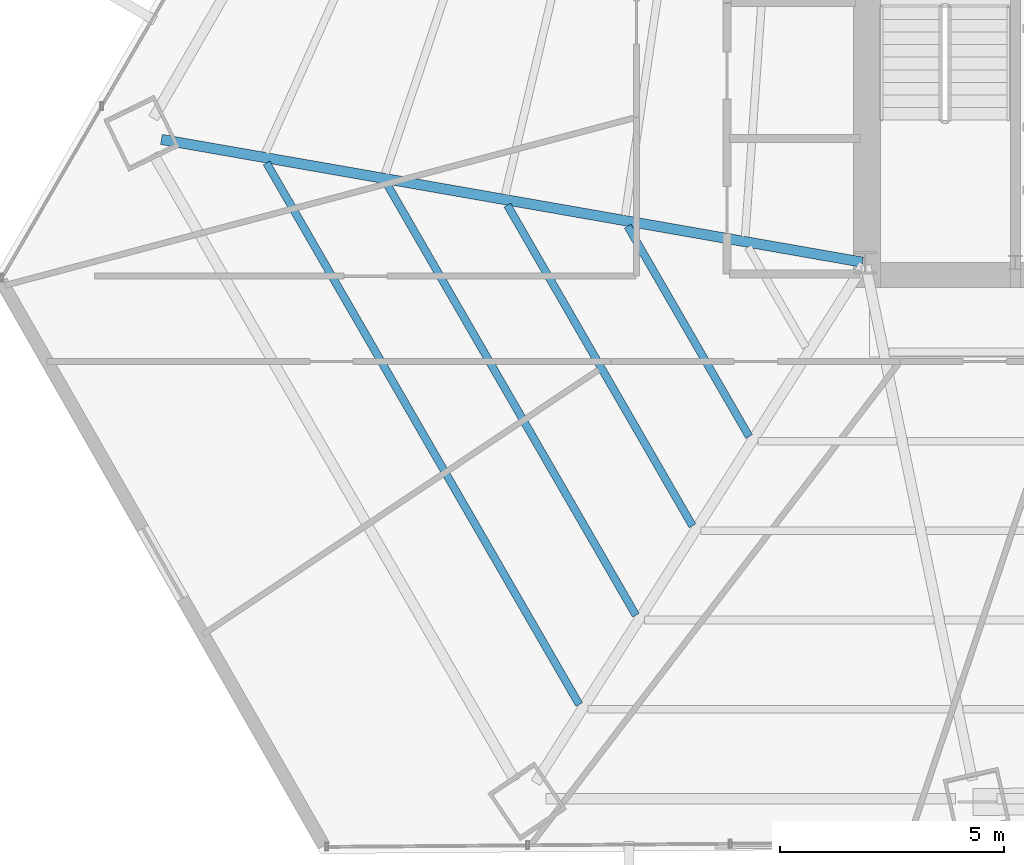
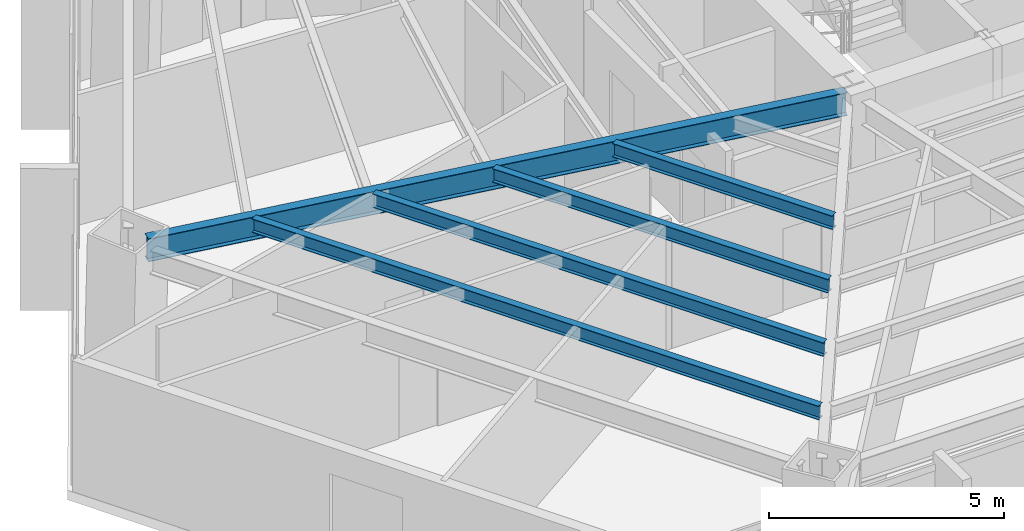
# One storey, part 6 of 34: 5 beams.
"""IFC4 building model written with IfcOpenShell, lengths in metres."""

from ifc_helpers import new_model, si_unit, direction, frame, origin, origin_2d, place, context, subcontext, project, spatial, i_section, extrude, source, transform, mapped, material, material_profile, profile_set, type_object, type_shapes, element, save


model = new_model("IFC4")

# Units and contexts
model_context = context("Model", 3, precision=1e-05, world=origin(), true_north=direction((0.0, 1.0)))
body_context = subcontext(model_context, "Body", "Model", "MODEL_VIEW")
ifc_project = project(units=[si_unit("LENGTHUNIT", "METRE"), si_unit("AREAUNIT", "SQUARE_METRE"), si_unit("VOLUMEUNIT", "CUBIC_METRE"), si_unit("PLANEANGLEUNIT", "RADIAN"), si_unit("MASSUNIT", "GRAM", prefix="KILO")], contexts=[model_context])

# Site, building, storey
site_placement = place(None, origin())
site = spatial("IfcSite", under=ifc_project, at=site_placement, CompositionType="ELEMENT")
building_placement = place(site_placement, origin())
building = spatial("IfcBuilding", under=site, at=building_placement, Name="Caelisora Broadcast Tower", CompositionType="ELEMENT")
storey_placement = place(building_placement, frame((0.0, 0.0, 56.800048828125)))
storey = spatial("IfcBuildingStorey", under=building, at=storey_placement, Name="L14", CompositionType="ELEMENT", Elevation=56.800048828125)

# Beams
ifc_material = material(Name="Steel Grade 350 (AS/NZS 3679.1)", Category="steel")
ifc_material_profile_1 = material_profile(ifc_material, i_section(OverallWidth=0.22802734375, OverallDepth=0.602294921875, WebThickness=0.010498046875, FlangeThickness=0.014892578125, at=origin_2d()), Name="Steel Grade 350 (AS/NZS 3679.1)")
ifc_profile_set_1 = profile_set([ifc_material_profile_1], Name="Steel Grade 350 (AS/NZS 3679.1)")
beam_type_1 = type_object("IfcBeamType", Name="PG04", PredefinedType="BEAM", material=ifc_profile_set_1)
shared_shape_1 = source(origin(), body_context, "Body", "SweptSolid", [
    extrude(i_section(OverallWidth=0.22802734375, OverallDepth=0.602294921875, WebThickness=0.010498046875, FlangeThickness=0.014892578125, at=origin_2d()), origin(), (0.0, 0.0, 1.0), 15.86669921875),
])
type_shapes(beam_type_1, [shared_shape_1])
beam_1_placement = place(storey_placement, frame((30.44091796875, 17.410400390625, 3.098876953125), z_axis=(-0.985011649822, 0.172487824833, 0.0), x_axis=(-0.172487824833, -0.985011649822, 0.0)))
element("IfcBeam", 1, at=beam_1_placement, inside=storey, type_object=beam_type_1, Name="L14 beam PG04", PredefinedType="BEAM", context=body_context, shape_type="MappedRepresentation", body=[
    mapped(shared_shape_1, transform((0.0, 0.0, 0.0), scale=1.0)),
])
ifc_material_profile_2 = material_profile(ifc_material, i_section(OverallWidth=0.172119140625, OverallDepth=0.358642578125, WebThickness=0.008056640625, FlangeThickness=0.012939453125, at=origin_2d()), Name="Steel Grade 350 (AS/NZS 3679.1)")
ifc_profile_set_2 = profile_set([ifc_material_profile_2], Name="Steel Grade 350 (AS/NZS 3679.1)")
beam_type_2 = type_object("IfcBeamType", Name="SB02", PredefinedType="JOIST", material=ifc_profile_set_2)
shared_shape_2 = source(origin(), body_context, "Body", "SweptSolid", [
    extrude(i_section(OverallWidth=0.172119140625, OverallDepth=0.358642578125, WebThickness=0.008056640625, FlangeThickness=0.012939453125, at=origin_2d()), origin(), (0.0, 0.0, 1.0), 5.412841796875),
])
beam_2_placement = place(storey_placement, frame((25.205810546875, 18.213623046875, 3.220703125), z_axis=(0.499976235085, -0.86603912403, 0.0), x_axis=(0.86603912403, 0.499976235085, 0.0)))
element("IfcBeam", 2, at=beam_2_placement, inside=storey, type_object=beam_type_2, Name="L14 beam SB02", PredefinedType="JOIST", context=body_context, shape_type="MappedRepresentation", body=[
    mapped(shared_shape_2, transform((0.0, 0.0, 0.0), scale=1.0)),
])
shared_shape_3 = source(origin(), body_context, "Body", "SweptSolid", [
    extrude(i_section(OverallWidth=0.172119140625, OverallDepth=0.358642578125, WebThickness=0.008056640625, FlangeThickness=0.012939453125, at=origin_2d()), origin(), (0.0, 0.0, 1.0), 8.25537109375),
])
beam_3_placement = place(storey_placement, frame((22.522216796875, 18.68359375, 3.220703125), z_axis=(0.499975040604, -0.866039813619, 0.0), x_axis=(0.866039813619, 0.499975040604, 0.0)))
element("IfcBeam", 3, at=beam_3_placement, inside=storey, type_object=beam_type_2, Name="L14 beam SB02", PredefinedType="JOIST", context=body_context, shape_type="MappedRepresentation", body=[
    mapped(shared_shape_3, transform((0.0, 0.0, 0.0), scale=1.0)),
])
shared_shape_4 = source(origin(), body_context, "Body", "SweptSolid", [
    extrude(i_section(OverallWidth=0.172119140625, OverallDepth=0.358642578125, WebThickness=0.008056640625, FlangeThickness=0.012939453125, at=origin_2d()), origin(), (0.0, 0.0, 1.0), 11.09765625),
])
beam_4_placement = place(storey_placement, frame((19.83837890625, 19.153564453125, 3.220703125), z_axis=(0.500000483486, -0.866025124644, 0.0), x_axis=(0.866025124644, 0.500000483486, 0.0)))
element("IfcBeam", 4, at=beam_4_placement, inside=storey, type_object=beam_type_2, Name="L14 beam SB02", PredefinedType="JOIST", context=body_context, shape_type="MappedRepresentation", body=[
    mapped(shared_shape_4, transform((0.0, 0.0, 0.0), scale=1.0)),
])
shared_shape_5 = source(origin(), body_context, "Body", "SweptSolid", [
    extrude(i_section(OverallWidth=0.172119140625, OverallDepth=0.358642578125, WebThickness=0.008056640625, FlangeThickness=0.012939453125, at=origin_2d()), origin(), (0.0, 0.0, 1.0), 13.93994140625),
])
type_shapes(beam_type_2, [shared_shape_2, shared_shape_3, shared_shape_4, shared_shape_5])
beam_5_placement = place(storey_placement, frame((17.15478515625, 19.623291015625, 3.220703125), z_axis=(0.50000241545, -0.866024009219, 0.0), x_axis=(0.866024009219, 0.50000241545, 0.0)))
element("IfcBeam", 5, at=beam_5_placement, inside=storey, type_object=beam_type_2, Name="L14 beam SB02", PredefinedType="JOIST", context=body_context, shape_type="MappedRepresentation", body=[
    mapped(shared_shape_5, transform((0.0, 0.0, 0.0), scale=1.0)),
])

save(model, "model.ifc")
